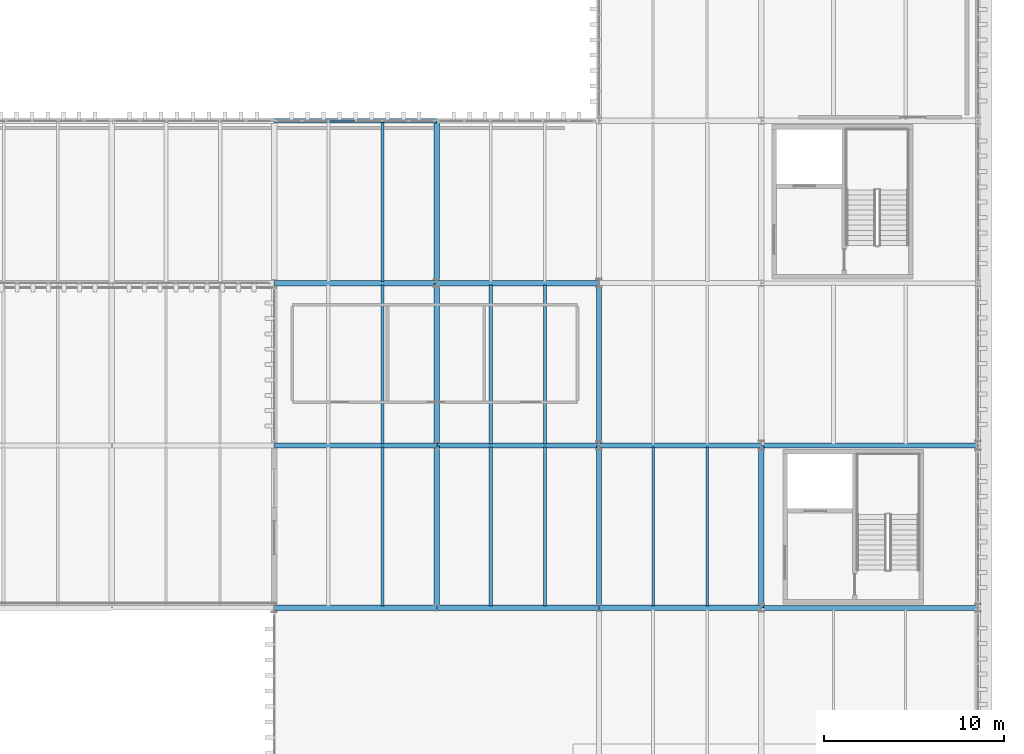
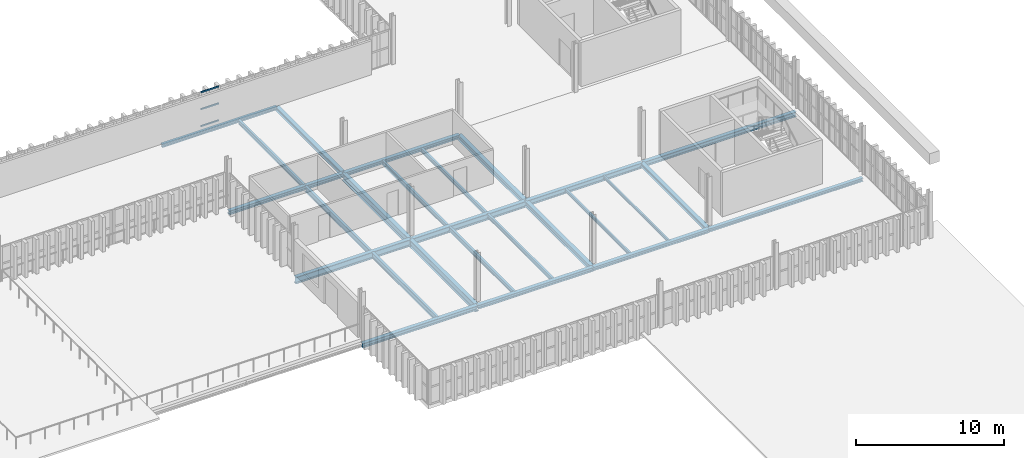
# One storey, part 45 of 102: 26 beams, 3 members, 1 element without a shape of its own.
"""IFC4 building model written with IfcOpenShell, lengths in metres."""

from ifc_helpers import new_model, si_unit, direction, frame, origin, origin_2d, place, context, subcontext, project, spatial, hollow_rectangle, i_section, extrude, material, layer, layer_set, material_profile, profile_set, type_object, element, aggregate, save


model = new_model("IFC4")

# Units and contexts
model_context = context("Model", 3, precision=1e-05, world=origin(), true_north=direction((0.0, 1.0)))
body_context = subcontext(model_context, "Body", "Model", "MODEL_VIEW")
ifc_project = project(units=[si_unit("LENGTHUNIT", "METRE"), si_unit("AREAUNIT", "SQUARE_METRE"), si_unit("VOLUMEUNIT", "CUBIC_METRE"), si_unit("PLANEANGLEUNIT", "RADIAN"), si_unit("MASSUNIT", "GRAM", prefix="KILO")], contexts=[model_context])

# Site, building, storey
site_placement = place(None, origin())
site = spatial("IfcSite", under=ifc_project, at=site_placement, CompositionType="ELEMENT")
building_placement = place(site_placement, origin())
building = spatial("IfcBuilding", under=site, at=building_placement, Name="Barlavento Convention Centre", CompositionType="ELEMENT")
storey_placement = place(building_placement, frame((0.0, 0.0, 22.800048828125)))
storey = spatial("IfcBuildingStorey", under=building, at=storey_placement, Name="L04", CompositionType="ELEMENT", Elevation=22.800048828125)

# Curtain wall, members
ifc_material_1 = material(Name="Powder-coated aluminium and Low-E glass", Category="aluminium")
ifc_layer = layer(ifc_material_1, 0.179931640625)
ifc_layer_set = layer_set([ifc_layer], Name="ARC-CW-PATIO-B")
curtain_wall_type = type_object("IfcCurtainWallType", Name="ARC-CW-PATIO-B", PredefinedType="NOTDEFINED", material=ifc_layer_set)
curtain_wall_placement = place(storey_placement, origin())
curtain_wall = element("IfcCurtainWall", 1, at=curtain_wall_placement, inside=storey, type_object=curtain_wall_type, Name="L04 unitised curtain wall CW12", PredefinedType="NOTDEFINED")
ifc_material_2 = material(Name="Powder-coated aluminium", Category="aluminium")
ifc_material_profile_1 = material_profile(ifc_material_2, hollow_rectangle(XDim=0.06005859375, YDim=0.1201171875, WallThickness=0.00390625, at=origin_2d()), Name="AL-TRAN 60x120x4")
ifc_profile_set_1 = profile_set([ifc_material_profile_1], Name="Powder-coated aluminium")
member_type = type_object("IfcMemberType", Name="ARC-CWT-60X120", PredefinedType="USERDEFINED", material=ifc_profile_set_1)
member_1_placement = place(storey_placement, frame((156.056640625, 63.0, 0.030029296875), z_axis=(1.0, 0.0, 0.0), x_axis=(0.0, 1.0, 0.0)))
member_1 = element("IfcMember", 2, at=member_1_placement, type_object=member_type, Name="CW12 transom 3.1", ObjectType="TRANSOM", PredefinedType="USERDEFINED", context=body_context, shape_type="SweptSolid", body=[
    extrude(hollow_rectangle(XDim=0.06005859375, YDim=0.1201171875, WallThickness=0.00390625, at=origin_2d()), origin(), (0.0, 0.0, 1.0), 1.413330078125),
])
member_2_placement = place(storey_placement, frame((156.056640625, 63.0, 1.425048828125), z_axis=(1.0, 0.0, 0.0), x_axis=(0.0, 1.0, 0.0)))
member_2 = element("IfcMember", 3, at=member_2_placement, type_object=member_type, Name="CW12 transom 3.2", ObjectType="TRANSOM", PredefinedType="USERDEFINED", context=body_context, shape_type="SweptSolid", body=[
    extrude(hollow_rectangle(XDim=0.06005859375, YDim=0.1201171875, WallThickness=0.00390625, at=origin_2d()), origin(), (0.0, 0.0, 1.0), 1.413330078125),
])
member_3_placement = place(storey_placement, frame((156.056640625, 63.0, 2.820068359375), z_axis=(1.0, 0.0, 0.0), x_axis=(0.0, 1.0, 0.0)))
member_3 = element("IfcMember", 4, at=member_3_placement, type_object=member_type, Name="CW12 transom 3.3", ObjectType="TRANSOM", PredefinedType="USERDEFINED", context=body_context, shape_type="SweptSolid", body=[
    extrude(hollow_rectangle(XDim=0.06005859375, YDim=0.1201171875, WallThickness=0.00390625, at=origin_2d()), origin(), (0.0, 0.0, 1.0), 1.413330078125),
])
aggregate(curtain_wall, [member_1, member_2, member_3])

# Beams
ifc_material_3 = material(Name="Steel S355", Category="steel")
ifc_material_profile_2 = material_profile(ifc_material_3, i_section(OverallWidth=0.1201171875, OverallDepth=0.239990234375, WebThickness=0.006103515625, FlangeThickness=0.009765625, FilletRadius=0.014892578125, at=origin_2d()), Name="IPE 240")
ifc_profile_set_2 = profile_set([ifc_material_profile_2], Name="Steel S355")
beam_type_1 = type_object("IfcBeamType", Name="STR-BM-JST-IPE240", PredefinedType="JOIST", material=ifc_profile_set_2)
beam_1_placement = place(storey_placement, frame((177.0, 36.094970703125, -0.469970703125), z_axis=(0.0, 1.0, 0.0), x_axis=(-1.0, 0.0, 0.0)))
element("IfcBeam", 5, at=beam_1_placement, inside=storey, type_object=beam_type_1, Name="L04 composite floor joist SJ09", PredefinedType="JOIST", context=body_context, shape_type="SweptSolid", body=[
    extrude(i_section(OverallWidth=0.1201171875, OverallDepth=0.239990234375, WebThickness=0.006103515625, FlangeThickness=0.009765625, FilletRadius=0.014892578125, at=origin_2d()), origin(), (0.0, 0.0, 1.0), 8.81005859375),
])
ifc_material_profile_3 = material_profile(ifc_material_3, i_section(OverallWidth=0.135009765625, OverallDepth=0.27001953125, WebThickness=0.006591796875, FlangeThickness=0.01025390625, FilletRadius=0.014892578125, at=origin_2d()), Name="IPE 270")
ifc_profile_set_3 = profile_set([ifc_material_profile_3], Name="Steel S355")
beam_type_2 = type_object("IfcBeamType", Name="STR-BM-JST-IPE270", PredefinedType="JOIST", material=ifc_profile_set_3)
beam_2_placement = place(storey_placement, frame((174.0, 36.094970703125, -0.485107421875), z_axis=(0.0, 1.0, 0.0), x_axis=(-1.0, 0.0, 0.0)))
element("IfcBeam", 6, at=beam_2_placement, inside=storey, type_object=beam_type_2, Name="L04 composite floor joist SJ08", PredefinedType="JOIST", context=body_context, shape_type="SweptSolid", body=[
    extrude(i_section(OverallWidth=0.135009765625, OverallDepth=0.27001953125, WebThickness=0.006591796875, FlangeThickness=0.01025390625, FilletRadius=0.014892578125, at=origin_2d()), origin(), (0.0, 0.0, 1.0), 8.81005859375),
])
ifc_material_profile_4 = material_profile(ifc_material_3, i_section(OverallWidth=0.159912109375, OverallDepth=0.330078125, WebThickness=0.007568359375, FlangeThickness=0.011474609375, FilletRadius=0.01806640625, at=origin_2d()), Name="IPE 330")
ifc_profile_set_4 = profile_set([ifc_material_profile_4], Name="Steel S355")
beam_type_3 = type_object("IfcBeamType", Name="STR-BM-JST-IPE330", PredefinedType="JOIST", material=ifc_profile_set_4)
for number, where, z_axis, x_axis, name in (
    (7, (168.0, 36.094970703125, -0.51513671875), (0.0, 1.0, 0.0), (-1.0, 0.0, 0.0), "L04 composite floor joist SJ06"),
    (8, (168.0, 45.094970703125, -0.525146484375), (0.0, 1.0, 0.0), (-1.0, 0.0, 0.0), "L04 composite floor joist SJ06"),
):
    element("IfcBeam", number, at=place(storey_placement, frame(where, z_axis=z_axis, x_axis=x_axis)), inside=storey, type_object=beam_type_3, Name=name, PredefinedType="JOIST", context=body_context, shape_type="SweptSolid", body=[
        extrude(i_section(OverallWidth=0.159912109375, OverallDepth=0.330078125, WebThickness=0.007568359375, FlangeThickness=0.011474609375, FilletRadius=0.01806640625, at=origin_2d()), origin(), (0.0, 0.0, 1.0), 8.81005859375),
    ])
ifc_material_profile_5 = material_profile(ifc_material_3, i_section(OverallWidth=0.169921875, OverallDepth=0.360107421875, WebThickness=0.008056640625, FlangeThickness=0.0126953125, FilletRadius=0.01806640625, at=origin_2d()), Name="IPE 360")
ifc_profile_set_5 = profile_set([ifc_material_profile_5], Name="Steel S355")
beam_type_4 = type_object("IfcBeamType", Name="STR-BM-JST-IPE360", PredefinedType="JOIST", material=ifc_profile_set_5)
for number, where, z_axis, x_axis, name in (
    (9, (165.0, 36.094970703125, -0.530029296875), (0.0, 1.0, 0.0), (-1.0, 0.0, 0.0), "L04 composite floor joist SJ05"),
    (10, (165.0, 45.094970703125, -0.5400390625), (0.0, 1.0, 0.0), (-1.0, 0.0, 0.0), "L04 composite floor joist SJ05"),
    (11, (159.0, 54.094970703125, -0.5400390625), (0.0, 1.0, 0.0), (-1.0, 0.0, 0.0), "L04 composite floor joist SJ05"),
):
    element("IfcBeam", number, at=place(storey_placement, frame(where, z_axis=z_axis, x_axis=x_axis)), inside=storey, type_object=beam_type_4, Name=name, PredefinedType="JOIST", context=body_context, shape_type="SweptSolid", body=[
        extrude(i_section(OverallWidth=0.169921875, OverallDepth=0.360107421875, WebThickness=0.008056640625, FlangeThickness=0.0126953125, FilletRadius=0.01806640625, at=origin_2d()), origin(), (0.0, 0.0, 1.0), 8.81005859375),
    ])
ifc_material_profile_6 = material_profile(ifc_material_3, i_section(OverallWidth=0.18994140625, OverallDepth=0.449951171875, WebThickness=0.009521484375, FlangeThickness=0.0146484375, FilletRadius=0.02099609375, at=origin_2d()), Name="IPE 450")
ifc_profile_set_6 = profile_set([ifc_material_profile_6], Name="Steel S355")
beam_type_5 = type_object("IfcBeamType", Name="STR-BM-JST-IPE450", PredefinedType="JOIST", material=ifc_profile_set_6)
for number, where, z_axis, x_axis, name in (
    (12, (159.0, 36.094970703125, -0.574951171875), (0.0, 1.0, 0.0), (-1.0, 0.0, 0.0), "L04 composite floor joist SJ03"),
    (13, (159.0, 45.094970703125, -0.5849609375), (0.0, 1.0, 0.0), (-1.0, 0.0, 0.0), "L04 composite floor joist SJ03"),
):
    element("IfcBeam", number, at=place(storey_placement, frame(where, z_axis=z_axis, x_axis=x_axis)), inside=storey, type_object=beam_type_5, Name=name, PredefinedType="JOIST", context=body_context, shape_type="SweptSolid", body=[
        extrude(i_section(OverallWidth=0.18994140625, OverallDepth=0.449951171875, WebThickness=0.009521484375, FlangeThickness=0.0146484375, FilletRadius=0.02099609375, at=origin_2d()), origin(), (0.0, 0.0, 1.0), 8.81005859375),
    ])
ifc_material_profile_7 = material_profile(ifc_material_3, i_section(OverallWidth=0.300048828125, OverallDepth=0.330078125, WebThickness=0.009521484375, FlangeThickness=0.0166015625, FilletRadius=0.027099609375, at=origin_2d()), Name="HEA 340")
ifc_profile_set_7 = profile_set([ifc_material_profile_7], Name="Steel S355")
beam_type_6 = type_object("IfcBeamType", Name="STR-BM-PRI-HEA340", PredefinedType="BEAM", material=ifc_profile_set_7)
for number, where, z_axis, x_axis, name in (
    (14, (180.0, 36.02001953125, -0.51513671875), (0.0, 1.0, 0.0), (-1.0, 0.0, 0.0), "L04 grid girder BG24"),
    (15, (162.0, 54.02001953125, -0.525146484375), (0.0, 1.0, 0.0), (-1.0, 0.0, 0.0), "L04 grid girder BG24"),
):
    element("IfcBeam", number, at=place(storey_placement, frame(where, z_axis=z_axis, x_axis=x_axis)), inside=storey, type_object=beam_type_6, Name=name, PredefinedType="BEAM", context=body_context, shape_type="SweptSolid", body=[
        extrude(i_section(OverallWidth=0.300048828125, OverallDepth=0.330078125, WebThickness=0.009521484375, FlangeThickness=0.0166015625, FilletRadius=0.027099609375, at=origin_2d()), origin(), (0.0, 0.0, 1.0), 8.9599609375),
    ])
ifc_material_profile_8 = material_profile(ifc_material_3, i_section(OverallWidth=0.300048828125, OverallDepth=0.43994140625, WebThickness=0.011474609375, FlangeThickness=0.02099609375, FilletRadius=0.027099609375, at=origin_2d()), Name="HEA 450")
ifc_profile_set_8 = profile_set([ifc_material_profile_8], Name="Steel S355")
beam_type_7 = type_object("IfcBeamType", Name="STR-BM-PRI-HEA450", PredefinedType="BEAM", material=ifc_profile_set_8)
for number, where, z_axis, x_axis, name in (
    (16, (171.0, 36.02001953125, -0.570068359375), (0.0, 1.0, 0.0), (-1.0, 0.0, 0.0), "L04 grid girder BG21"),
    (17, (171.0, 45.02001953125, -0.580078125), (0.0, 1.0, 0.0), (-1.0, 0.0, 0.0), "L04 grid girder BG21"),
):
    element("IfcBeam", number, at=place(storey_placement, frame(where, z_axis=z_axis, x_axis=x_axis)), inside=storey, type_object=beam_type_7, Name=name, PredefinedType="BEAM", context=body_context, shape_type="SweptSolid", body=[
        extrude(i_section(OverallWidth=0.300048828125, OverallDepth=0.43994140625, WebThickness=0.011474609375, FlangeThickness=0.02099609375, FilletRadius=0.027099609375, at=origin_2d()), origin(), (0.0, 0.0, 1.0), 8.9599609375),
    ])
ifc_material_profile_9 = material_profile(ifc_material_3, i_section(OverallWidth=0.300048828125, OverallDepth=0.590087890625, WebThickness=0.012939453125, FlangeThickness=0.02490234375, FilletRadius=0.027099609375, at=origin_2d()), Name="HEA 600")
ifc_profile_set_9 = profile_set([ifc_material_profile_9], Name="Steel S355")
beam_type_8 = type_object("IfcBeamType", Name="STR-BM-PRI-HEA600", PredefinedType="BEAM", material=ifc_profile_set_9)
for number, where, z_axis, x_axis, name in (
    (18, (162.0, 36.02001953125, -0.64501953125), (0.0, 1.0, 0.0), (-1.0, 0.0, 0.0), "L04 grid girder BG18"),
    (19, (162.0, 45.02001953125, -0.655029296875), (0.0, 1.0, 0.0), (-1.0, 0.0, 0.0), "L04 grid girder BG18"),
):
    element("IfcBeam", number, at=place(storey_placement, frame(where, z_axis=z_axis, x_axis=x_axis)), inside=storey, type_object=beam_type_8, Name=name, PredefinedType="BEAM", context=body_context, shape_type="SweptSolid", body=[
        extrude(i_section(OverallWidth=0.300048828125, OverallDepth=0.590087890625, WebThickness=0.012939453125, FlangeThickness=0.02490234375, FilletRadius=0.027099609375, at=origin_2d()), origin(), (0.0, 0.0, 1.0), 8.9599609375),
    ])
ifc_material_profile_10 = material_profile(ifc_material_3, i_section(OverallWidth=0.280029296875, OverallDepth=0.280029296875, WebThickness=0.010498046875, FlangeThickness=0.01806640625, FilletRadius=0.02392578125, at=origin_2d()), Name="HEB 280")
ifc_profile_set_10 = profile_set([ifc_material_profile_10], Name="Steel S355")
beam_type_9 = type_object("IfcBeamType", Name="STR-BM-PRI-HEB280", PredefinedType="BEAM", material=ifc_profile_set_10)
beam_3_placement = place(storey_placement, frame((180.02001953125, 36.0, -0.489990234375), z_axis=(1.0, 0.0, 0.0), x_axis=(0.0, 1.0, 0.0)))
element("IfcBeam", 20, at=beam_3_placement, inside=storey, type_object=beam_type_9, Name="L04 primary girder BG15", PredefinedType="BEAM", context=body_context, shape_type="SweptSolid", body=[
    extrude(i_section(OverallWidth=0.280029296875, OverallDepth=0.280029296875, WebThickness=0.010498046875, FlangeThickness=0.01806640625, FilletRadius=0.02392578125, at=origin_2d()), origin(), (0.0, 0.0, 1.0), 11.9599609375),
])
ifc_material_profile_11 = material_profile(ifc_material_3, i_section(OverallWidth=0.300048828125, OverallDepth=0.300048828125, WebThickness=0.010986328125, FlangeThickness=0.01904296875, FilletRadius=0.027099609375, at=origin_2d()), Name="HEB 300")
ifc_profile_set_11 = profile_set([ifc_material_profile_11], Name="Steel S355")
beam_type_10 = type_object("IfcBeamType", Name="STR-BM-PRI-HEB300", PredefinedType="BEAM", material=ifc_profile_set_11)
for number, where, z_axis, x_axis, name in (
    (21, (171.02001953125, 36.0, -0.5), (1.0, 0.0, 0.0), (0.0, 1.0, 0.0), "L04 primary girder BG14"),
    (22, (162.02001953125, 54.0, -0.510009765625), (1.0, 0.0, 0.0), (0.0, 1.0, 0.0), "L04 primary girder BG14"),
):
    element("IfcBeam", number, at=place(storey_placement, frame(where, z_axis=z_axis, x_axis=x_axis)), inside=storey, type_object=beam_type_10, Name=name, PredefinedType="BEAM", context=body_context, shape_type="SweptSolid", body=[
        extrude(i_section(OverallWidth=0.300048828125, OverallDepth=0.300048828125, WebThickness=0.010986328125, FlangeThickness=0.01904296875, FilletRadius=0.027099609375, at=origin_2d()), origin(), (0.0, 0.0, 1.0), 8.9599609375),
    ])
ifc_material_profile_12 = material_profile(ifc_material_3, i_section(OverallWidth=0.300048828125, OverallDepth=0.320068359375, WebThickness=0.011474609375, FlangeThickness=0.0205078125, FilletRadius=0.027099609375, at=origin_2d()), Name="HEB 320")
ifc_profile_set_12 = profile_set([ifc_material_profile_12], Name="Steel S355")
beam_type_11 = type_object("IfcBeamType", Name="STR-BM-PRI-HEB320", PredefinedType="BEAM", material=ifc_profile_set_12)
for number, where, z_axis, x_axis, name in (
    (23, (162.02001953125, 36.0, -0.510009765625), (1.0, 0.0, 0.0), (0.0, 1.0, 0.0), "L04 primary girder BG13"),
    (24, (153.02001953125, 54.0, -0.52001953125), (1.0, 0.0, 0.0), (0.0, 1.0, 0.0), "L04 primary girder BG13"),
):
    element("IfcBeam", number, at=place(storey_placement, frame(where, z_axis=z_axis, x_axis=x_axis)), inside=storey, type_object=beam_type_11, Name=name, PredefinedType="BEAM", context=body_context, shape_type="SweptSolid", body=[
        extrude(i_section(OverallWidth=0.300048828125, OverallDepth=0.320068359375, WebThickness=0.011474609375, FlangeThickness=0.0205078125, FilletRadius=0.027099609375, at=origin_2d()), origin(), (0.0, 0.0, 1.0), 8.9599609375),
    ])
ifc_material_profile_13 = material_profile(ifc_material_3, i_section(OverallWidth=0.300048828125, OverallDepth=0.360107421875, WebThickness=0.012451171875, FlangeThickness=0.0224609375, FilletRadius=0.027099609375, at=origin_2d()), Name="HEB 360")
ifc_profile_set_13 = profile_set([ifc_material_profile_13], Name="Steel S355")
beam_type_12 = type_object("IfcBeamType", Name="STR-BM-PRI-HEB360", PredefinedType="BEAM", material=ifc_profile_set_13)
beam_4_placement = place(storey_placement, frame((153.02001953125, 36.0, -0.530029296875), z_axis=(1.0, 0.0, 0.0), x_axis=(0.0, 1.0, 0.0)))
element("IfcBeam", 25, at=beam_4_placement, inside=storey, type_object=beam_type_12, Name="L04 primary girder BG12", PredefinedType="BEAM", context=body_context, shape_type="SweptSolid", body=[
    extrude(i_section(OverallWidth=0.300048828125, OverallDepth=0.360107421875, WebThickness=0.012451171875, FlangeThickness=0.0224609375, FilletRadius=0.027099609375, at=origin_2d()), origin(), (0.0, 0.0, 1.0), 8.9599609375),
])
ifc_material_profile_14 = material_profile(ifc_material_3, i_section(OverallWidth=0.300048828125, OverallDepth=0.39990234375, WebThickness=0.013427734375, FlangeThickness=0.02392578125, FilletRadius=0.027099609375, at=origin_2d()), Name="HEB 400")
ifc_profile_set_14 = profile_set([ifc_material_profile_14], Name="Steel S355")
beam_type_13 = type_object("IfcBeamType", Name="STR-BM-PRI-HEB400", PredefinedType="BEAM", material=ifc_profile_set_14)
beam_5_placement = place(storey_placement, frame((180.02001953125, 45.0, -0.550048828125), z_axis=(1.0, 0.0, 0.0), x_axis=(0.0, 1.0, 0.0)))
element("IfcBeam", 26, at=beam_5_placement, inside=storey, type_object=beam_type_13, Name="L04 primary girder BG11", PredefinedType="BEAM", context=body_context, shape_type="SweptSolid", body=[
    extrude(i_section(OverallWidth=0.300048828125, OverallDepth=0.39990234375, WebThickness=0.013427734375, FlangeThickness=0.02392578125, FilletRadius=0.027099609375, at=origin_2d()), origin(), (0.0, 0.0, 1.0), 11.9599609375),
])
ifc_material_profile_15 = material_profile(ifc_material_3, i_section(OverallWidth=0.300048828125, OverallDepth=0.449951171875, WebThickness=0.013916015625, FlangeThickness=0.02587890625, FilletRadius=0.027099609375, at=origin_2d()), Name="HEB 450")
ifc_profile_set_15 = profile_set([ifc_material_profile_15], Name="Steel S355")
beam_type_14 = type_object("IfcBeamType", Name="STR-BM-PRI-HEB450", PredefinedType="BEAM", material=ifc_profile_set_15)
beam_6_placement = place(storey_placement, frame((171.02001953125, 45.0, -0.574951171875), z_axis=(1.0, 0.0, 0.0), x_axis=(0.0, 1.0, 0.0)))
element("IfcBeam", 27, at=beam_6_placement, inside=storey, type_object=beam_type_14, Name="L04 primary girder BG10", PredefinedType="BEAM", context=body_context, shape_type="SweptSolid", body=[
    extrude(i_section(OverallWidth=0.300048828125, OverallDepth=0.449951171875, WebThickness=0.013916015625, FlangeThickness=0.02587890625, FilletRadius=0.027099609375, at=origin_2d()), origin(), (0.0, 0.0, 1.0), 8.9599609375),
])
ifc_material_profile_16 = material_profile(ifc_material_3, i_section(OverallWidth=0.300048828125, OverallDepth=0.5, WebThickness=0.014404296875, FlangeThickness=0.028076171875, FilletRadius=0.027099609375, at=origin_2d()), Name="HEB 500")
ifc_profile_set_16 = profile_set([ifc_material_profile_16], Name="Steel S355")
beam_type_15 = type_object("IfcBeamType", Name="STR-BM-PRI-HEB500", PredefinedType="BEAM", material=ifc_profile_set_16)
beam_7_placement = place(storey_placement, frame((162.02001953125, 45.0, -0.60009765625), z_axis=(1.0, 0.0, 0.0), x_axis=(0.0, 1.0, 0.0)))
element("IfcBeam", 28, at=beam_7_placement, inside=storey, type_object=beam_type_15, Name="L04 primary girder BG09", PredefinedType="BEAM", context=body_context, shape_type="SweptSolid", body=[
    extrude(i_section(OverallWidth=0.300048828125, OverallDepth=0.5, WebThickness=0.014404296875, FlangeThickness=0.028076171875, FilletRadius=0.027099609375, at=origin_2d()), origin(), (0.0, 0.0, 1.0), 8.9599609375),
])
ifc_material_profile_17 = material_profile(ifc_material_3, i_section(OverallWidth=0.300048828125, OverallDepth=0.550048828125, WebThickness=0.014892578125, FlangeThickness=0.029052734375, FilletRadius=0.027099609375, at=origin_2d()), Name="HEB 550")
ifc_profile_set_17 = profile_set([ifc_material_profile_17], Name="Steel S355")
beam_type_16 = type_object("IfcBeamType", Name="STR-BM-PRI-HEB550", PredefinedType="BEAM", material=ifc_profile_set_17)
beam_8_placement = place(storey_placement, frame((153.02001953125, 45.0, -0.625), z_axis=(1.0, 0.0, 0.0), x_axis=(0.0, 1.0, 0.0)))
element("IfcBeam", 29, at=beam_8_placement, inside=storey, type_object=beam_type_16, Name="L04 primary girder BG08", PredefinedType="BEAM", context=body_context, shape_type="SweptSolid", body=[
    extrude(i_section(OverallWidth=0.300048828125, OverallDepth=0.550048828125, WebThickness=0.014892578125, FlangeThickness=0.029052734375, FilletRadius=0.027099609375, at=origin_2d()), origin(), (0.0, 0.0, 1.0), 8.9599609375),
])
ifc_material_profile_18 = material_profile(ifc_material_3, i_section(OverallWidth=0.260009765625, OverallDepth=0.25, WebThickness=0.007568359375, FlangeThickness=0.012451171875, FilletRadius=0.02392578125, at=origin_2d()), Name="HEA 260")
ifc_profile_set_18 = profile_set([ifc_material_profile_18], Name="Steel S355")
beam_type_17 = type_object("IfcBeamType", Name="STR-BM-SPN-HEA260", PredefinedType="SPANDREL", material=ifc_profile_set_18)
beam_9_placement = place(storey_placement, frame((153.02001953125, 63.0, -0.485107421875), z_axis=(1.0, 0.0, 0.0), x_axis=(0.0, 1.0, 0.0)))
element("IfcBeam", 30, at=beam_9_placement, inside=storey, type_object=beam_type_17, Name="L04 primary girder SP04", PredefinedType="SPANDREL", context=body_context, shape_type="SweptSolid", body=[
    extrude(i_section(OverallWidth=0.260009765625, OverallDepth=0.25, WebThickness=0.007568359375, FlangeThickness=0.012451171875, FilletRadius=0.02392578125, at=origin_2d()), origin(), (0.0, 0.0, 1.0), 8.9599609375),
])

save(model, "model.ifc")
